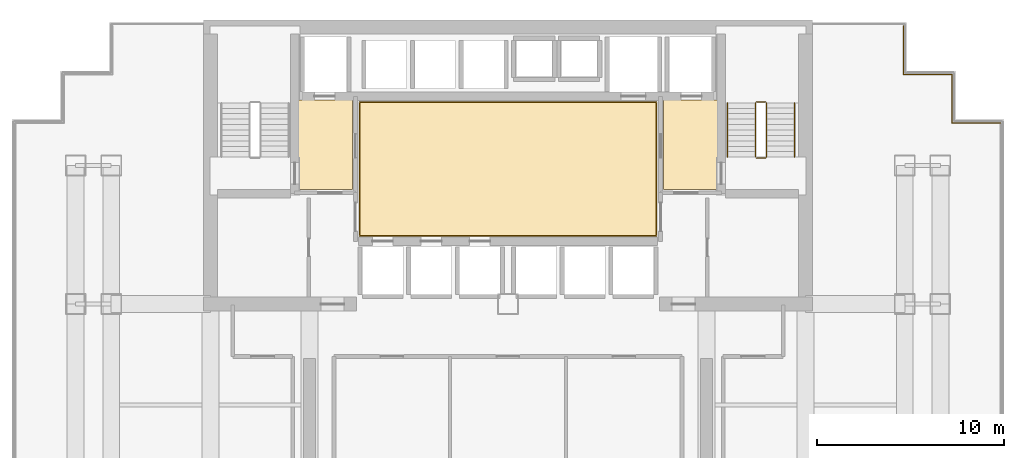
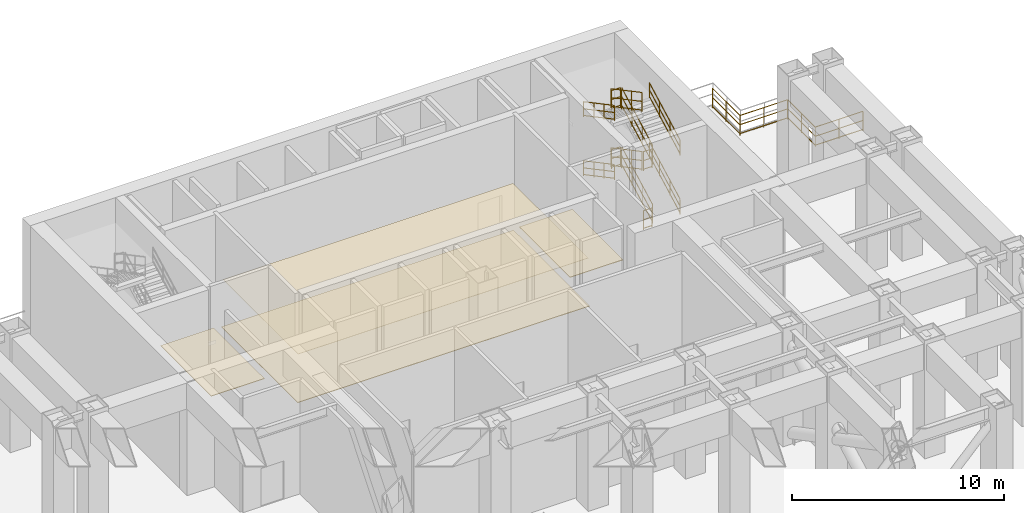
# One storey, part 7 of 7: 16 railings, 4 coverings.
"""IFC4 building model written with IfcOpenShell, lengths in metres."""

from ifc_helpers import new_model, si_unit, direction, frame, origin, origin_2d, place, context, subcontext, project, spatial, polyline, circle, outline, extrude, material, layer, layer_set, type_object, element, save


model = new_model("IFC4")

# Units and contexts
model_context = context("Model", 3, precision=1e-05, world=origin(), true_north=direction((0.0, 1.0)))
body_context = subcontext(model_context, "Body", "Model", "MODEL_VIEW")
ifc_project = project(units=[si_unit("LENGTHUNIT", "METRE"), si_unit("AREAUNIT", "SQUARE_METRE"), si_unit("VOLUMEUNIT", "CUBIC_METRE"), si_unit("PLANEANGLEUNIT", "RADIAN"), si_unit("MASSUNIT", "GRAM", prefix="KILO")], contexts=[model_context])

# Site, building, storey
site_placement = place(None, origin())
site = spatial("IfcSite", under=ifc_project, at=site_placement, CompositionType="ELEMENT")
building_placement = place(site_placement, origin())
building = spatial("IfcBuilding", under=site, at=building_placement, Name="Qianlan Lanfeng Residences", CompositionType="ELEMENT")
storey_placement = place(building_placement, frame((0.0, 0.0, 70.39990234375)))
storey = spatial("IfcBuildingStorey", under=building, at=storey_placement, Name="L19", CompositionType="ELEMENT", Elevation=70.39990234375)

# Coverings
ifc_material_1 = material(Name="Acoustic Perforated Gypsum Ceiling Board")
ifc_layer_1 = layer(ifc_material_1, 0.02001953125)
ifc_layer_set_1 = layer_set([ifc_layer_1], Name="Acoustic Perforated Gypsum Ceiling Board")
covering_type_1 = type_object("IfcCoveringType", Name="CLG-GYP-15", PredefinedType="CEILING", material=ifc_layer_set_1)
covering_1_placement = place(storey_placement, frame((0.0, 0.0, 2.75)))
element("IfcCovering", 1, at=covering_1_placement, inside=storey, type_object=covering_type_1, Name="L19 Lift Lobby Suspended Ceiling", PredefinedType="CEILING", context=body_context, shape_type="SweptSolid", body=[
    extrude(outline(polyline([(18.60009765625, 28.8701171875), (34.39990234375, 28.8701171875), (34.39990234375, 35.9599609375), (18.60009765625, 35.9599609375), (18.60009765625, 28.8701171875)])), origin(), (0.0, 0.0, 1.0), 0.02001953125),
])
ifc_material_2 = material(Name="Honed Taitung Granite Stone Flooring", Category="masonry")
ifc_layer_2 = layer(ifc_material_2, 0.030029296875)
ifc_layer_set_2 = layer_set([ifc_layer_2], Name="Honed Taitung Granite Stone Flooring")
covering_type_2 = type_object("IfcCoveringType", Name="FLR-STN-30", PredefinedType="FLOORING", material=ifc_layer_set_2)
covering_2_placement = place(storey_placement, origin())
element("IfcCovering", 2, at=covering_2_placement, inside=storey, type_object=covering_type_2, Name="L19 Firefighting Lift Lobby Floor Finish", PredefinedType="FLOORING", context=body_context, shape_type="SweptSolid", body=[
    extrude(outline(polyline([(15.2900390625, 31.320068359375), (18.179931640625, 31.320068359375), (18.179931640625, 36.110107421875), (15.2900390625, 36.110107421875), (15.2900390625, 31.320068359375)])), origin(), (0.0, 0.0, 1.0), 0.030029296875),
])
covering_3_placement = place(storey_placement, origin())
element("IfcCovering", 3, at=covering_3_placement, inside=storey, type_object=covering_type_2, Name="L19 Firefighting Lift Lobby Floor Finish", PredefinedType="FLOORING", context=body_context, shape_type="SweptSolid", body=[
    extrude(outline(polyline([(34.820068359375, 31.320068359375), (37.7099609375, 31.320068359375), (37.7099609375, 36.110107421875), (34.820068359375, 36.110107421875), (34.820068359375, 31.320068359375)])), origin(), (0.0, 0.0, 1.0), 0.030029296875),
])
covering_4_placement = place(storey_placement, origin())
element("IfcCovering", 4, at=covering_4_placement, inside=storey, type_object=covering_type_2, Name="L19 Lift Lobby Floor Finish", PredefinedType="FLOORING", context=body_context, shape_type="SweptSolid", body=[
    extrude(outline(polyline([(18.550048828125, 28.820068359375), (34.449951171875, 28.820068359375), (34.449951171875, 36.010009765625), (18.550048828125, 36.010009765625), (18.550048828125, 28.820068359375)])), origin(), (0.0, 0.0, 1.0), 0.030029296875),
])

# Railings
ifc_material_3 = material(Name="Painted Galvanised Steel Guardrail", Category="steel")
railing_type_1 = type_object("IfcRailingType", Name="GR-ST-1120", PredefinedType="GUARDRAIL", material=ifc_material_3)
railing_1_placement = place(storey_placement, frame((40.31005859375, 33.050048828125, 0.154541015625)))
element("IfcRailing", 5, at=railing_1_placement, inside=storey, type_object=railing_type_1, Name="L19 ST-2 stair guard 1", PredefinedType="GUARDRAIL", context=body_context, shape_type="SweptSolid", body=[
    extrude(circle(Radius=0.02392578125, at=origin_2d()), frame((0.0, 0.0, 0.083984375), z_axis=(0.0, 0.882474251534, 0.470360707734), x_axis=(-1.0, 0.0, 0.0)), (0.0, 0.0, 1.0), 3.2861328125),
    extrude(circle(Radius=0.02392578125, at=origin_2d()), frame((0.0, 0.0, 0.58251953125), z_axis=(0.0, 0.882474251534, 0.470360707734), x_axis=(-1.0, 0.0, 0.0)), (0.0, 0.0, 1.0), 3.2861328125),
    extrude(circle(Radius=0.02392578125, at=origin_2d()), frame((0.0, 0.0, 1.09619140625), z_axis=(0.0, 0.882474251534, 0.470360707734), x_axis=(-1.0, 0.0, 0.0)), (0.0, 0.0, 1.0), 3.2861328125),
    extrude(circle(Radius=0.02099609375, at=origin_2d()), origin(), (0.0, 0.0, 1.0), 1.072021484375),
    extrude(circle(Radius=0.02099609375, at=origin_2d()), frame((0.0, 0.966552734375, 0.51513671875)), (0.0, 0.0, 1.0), 1.072021484375),
    extrude(circle(Radius=0.02099609375, at=origin_2d()), frame((0.0, 1.933349609375, 1.030517578125)), (0.0, 0.0, 1.0), 1.072021484375),
    extrude(circle(Radius=0.02099609375, at=origin_2d()), frame((0.0, 2.89990234375, 1.545654296875)), (0.0, 0.0, 1.0), 1.072021484375),
])
railing_2_placement = place(storey_placement, frame((40.260009765625, 36.0, 1.7001953125)))
element("IfcRailing", 6, at=railing_2_placement, inside=storey, type_object=railing_type_1, Name="L19 ST-2 stair guard 2", PredefinedType="GUARDRAIL", context=body_context, shape_type="SweptSolid", body=[
    extrude(circle(Radius=0.02392578125, at=origin_2d()), frame((0.0, 0.0, 0.083984375), z_axis=(-1.0, 0.0, 0.0), x_axis=(0.0, -1.0, 0.0)), (0.0, 0.0, 1.0), 0.47998046875),
    extrude(circle(Radius=0.02392578125, at=origin_2d()), frame((0.0, 0.0, 0.58251953125), z_axis=(-1.0, 0.0, 0.0), x_axis=(0.0, -1.0, 0.0)), (0.0, 0.0, 1.0), 0.47998046875),
    extrude(circle(Radius=0.02392578125, at=origin_2d()), frame((0.0, 0.0, 1.09619140625), z_axis=(-1.0, 0.0, 0.0), x_axis=(0.0, -1.0, 0.0)), (0.0, 0.0, 1.0), 0.47998046875),
    extrude(circle(Radius=0.02099609375, at=origin_2d()), origin(), (0.0, 0.0, 1.0), 1.072021484375),
    extrude(circle(Radius=0.02099609375, at=origin_2d()), frame((-0.47998046875, 0.0, 0.0)), (0.0, 0.0, 1.0), 1.072021484375),
])
railing_3_placement = place(storey_placement, frame((39.72998046875, 35.949951171875, 1.854736328125)))
element("IfcRailing", 7, at=railing_3_placement, inside=storey, type_object=railing_type_1, Name="L19 ST-2 stair guard 3", PredefinedType="GUARDRAIL", context=body_context, shape_type="SweptSolid", body=[
    extrude(circle(Radius=0.02392578125, at=origin_2d()), frame((0.0, 0.0, 0.083984375), z_axis=(0.0, -0.882505089112, 0.470302846782), x_axis=(1.0, 0.0, 0.0)), (0.0, 0.0, 1.0), 3.285888671875),
    extrude(circle(Radius=0.02392578125, at=origin_2d()), frame((0.0, 0.0, 0.58251953125), z_axis=(0.0, -0.882505089112, 0.470302846782), x_axis=(1.0, 0.0, 0.0)), (0.0, 0.0, 1.0), 3.285888671875),
    extrude(circle(Radius=0.02392578125, at=origin_2d()), frame((0.0, 0.0, 1.09619140625), z_axis=(0.0, -0.882505089112, 0.470302846782), x_axis=(1.0, 0.0, 0.0)), (0.0, 0.0, 1.0), 3.285888671875),
    extrude(circle(Radius=0.02099609375, at=origin_2d()), origin(), (0.0, 0.0, 1.0), 1.072021484375),
    extrude(circle(Radius=0.02099609375, at=origin_2d()), frame((0.0, -0.966552734375, 0.51513671875)), (0.0, 0.0, 1.0), 1.072021484375),
    extrude(circle(Radius=0.02099609375, at=origin_2d()), frame((0.0, -1.933349609375, 1.0302734375)), (0.0, 0.0, 1.0), 1.072021484375),
    extrude(circle(Radius=0.02099609375, at=origin_2d()), frame((0.0, -2.89990234375, 1.54541015625)), (0.0, 0.0, 1.0), 1.072021484375),
])
railing_4_placement = place(storey_placement, frame((40.260009765625, 33.0, 3.400146484375)))
element("IfcRailing", 8, at=railing_4_placement, inside=storey, type_object=railing_type_1, Name="L19 ST-2 stair guard 4", PredefinedType="GUARDRAIL", context=body_context, shape_type="SweptSolid", body=[
    extrude(circle(Radius=0.02392578125, at=origin_2d()), frame((0.0, 0.0, 0.083984375), z_axis=(-1.0, 0.0, 0.0), x_axis=(0.0, -1.0, 0.0)), (0.0, 0.0, 1.0), 0.47998046875),
    extrude(circle(Radius=0.02392578125, at=origin_2d()), frame((0.0, 0.0, 0.58251953125), z_axis=(-1.0, 0.0, 0.0), x_axis=(0.0, -1.0, 0.0)), (0.0, 0.0, 1.0), 0.47998046875),
    extrude(circle(Radius=0.02392578125, at=origin_2d()), frame((0.0, 0.0, 1.09619140625), z_axis=(-1.0, 0.0, 0.0), x_axis=(0.0, -1.0, 0.0)), (0.0, 0.0, 1.0), 0.47998046875),
    extrude(circle(Radius=0.02099609375, at=origin_2d()), origin(), (0.0, 0.0, 1.0), 1.072021484375),
    extrude(circle(Radius=0.02099609375, at=origin_2d()), frame((-0.47998046875, 0.0, 0.0)), (0.0, 0.0, 1.0), 1.072021484375),
])
railing_5_placement = place(storey_placement, frame((40.31005859375, 33.050048828125, 3.5546875)))
element("IfcRailing", 9, at=railing_5_placement, inside=storey, type_object=railing_type_1, Name="L19 ST-2 stair guard 5", PredefinedType="GUARDRAIL", context=body_context, shape_type="SweptSolid", body=[
    extrude(circle(Radius=0.02392578125, at=origin_2d()), frame((0.0, 0.0, 0.083984375), z_axis=(0.0, 0.882505089112, 0.470302846782), x_axis=(-1.0, 0.0, 0.0)), (0.0, 0.0, 1.0), 3.285888671875),
    extrude(circle(Radius=0.02392578125, at=origin_2d()), frame((0.0, 0.0, 0.58251953125), z_axis=(0.0, 0.882505089112, 0.470302846782), x_axis=(-1.0, 0.0, 0.0)), (0.0, 0.0, 1.0), 3.285888671875),
    extrude(circle(Radius=0.02392578125, at=origin_2d()), frame((0.0, 0.0, 1.09619140625), z_axis=(0.0, 0.882505089112, 0.470302846782), x_axis=(-1.0, 0.0, 0.0)), (0.0, 0.0, 1.0), 3.285888671875),
    extrude(circle(Radius=0.02099609375, at=origin_2d()), origin(), (0.0, 0.0, 1.0), 1.072021484375),
    extrude(circle(Radius=0.02099609375, at=origin_2d()), frame((0.0, 0.966552734375, 0.51513671875)), (0.0, 0.0, 1.0), 1.072021484375),
    extrude(circle(Radius=0.02099609375, at=origin_2d()), frame((0.0, 1.933349609375, 1.0302734375)), (0.0, 0.0, 1.0), 1.072021484375),
    extrude(circle(Radius=0.02099609375, at=origin_2d()), frame((0.0, 2.89990234375, 1.54541015625)), (0.0, 0.0, 1.0), 1.072021484375),
])
railing_6_placement = place(storey_placement, frame((40.260009765625, 36.0, 5.10009765625)))
element("IfcRailing", 10, at=railing_6_placement, inside=storey, type_object=railing_type_1, Name="L19 ST-2 stair guard 6", PredefinedType="GUARDRAIL", context=body_context, shape_type="SweptSolid", body=[
    extrude(circle(Radius=0.02392578125, at=origin_2d()), frame((0.0, 0.0, 0.083984375), z_axis=(-1.0, 0.0, 0.0), x_axis=(0.0, -1.0, 0.0)), (0.0, 0.0, 1.0), 0.47998046875),
    extrude(circle(Radius=0.02392578125, at=origin_2d()), frame((0.0, 0.0, 0.58251953125), z_axis=(-1.0, 0.0, 0.0), x_axis=(0.0, -1.0, 0.0)), (0.0, 0.0, 1.0), 0.47998046875),
    extrude(circle(Radius=0.02392578125, at=origin_2d()), frame((0.0, 0.0, 1.09619140625), z_axis=(-1.0, 0.0, 0.0), x_axis=(0.0, -1.0, 0.0)), (0.0, 0.0, 1.0), 0.47998046875),
    extrude(circle(Radius=0.02099609375, at=origin_2d()), origin(), (0.0, 0.0, 1.0), 1.072021484375),
    extrude(circle(Radius=0.02099609375, at=origin_2d()), frame((-0.47998046875, 0.0, 0.0)), (0.0, 0.0, 1.0), 1.072021484375),
])
railing_7_placement = place(storey_placement, frame((39.72998046875, 35.949951171875, 5.254638671875)))
element("IfcRailing", 11, at=railing_7_placement, inside=storey, type_object=railing_type_1, Name="L19 ST-2 stair guard 7", PredefinedType="GUARDRAIL", context=body_context, shape_type="SweptSolid", body=[
    extrude(circle(Radius=0.02392578125, at=origin_2d()), frame((0.0, 0.0, 0.083984375), z_axis=(0.0, -0.882505089112, 0.470302846782), x_axis=(1.0, 0.0, 0.0)), (0.0, 0.0, 1.0), 3.285888671875),
    extrude(circle(Radius=0.02392578125, at=origin_2d()), frame((0.0, 0.0, 0.58251953125), z_axis=(0.0, -0.882505089112, 0.470302846782), x_axis=(1.0, 0.0, 0.0)), (0.0, 0.0, 1.0), 3.285888671875),
    extrude(circle(Radius=0.02392578125, at=origin_2d()), frame((0.0, 0.0, 1.09619140625), z_axis=(0.0, -0.882505089112, 0.470302846782), x_axis=(1.0, 0.0, 0.0)), (0.0, 0.0, 1.0), 3.285888671875),
    extrude(circle(Radius=0.02099609375, at=origin_2d()), origin(), (0.0, 0.0, 1.0), 1.072021484375),
    extrude(circle(Radius=0.02099609375, at=origin_2d()), frame((0.0, -0.966552734375, 0.51513671875)), (0.0, 0.0, 1.0), 1.072021484375),
    extrude(circle(Radius=0.02099609375, at=origin_2d()), frame((0.0, -1.933349609375, 1.0302734375)), (0.0, 0.0, 1.0), 1.072021484375),
    extrude(circle(Radius=0.02099609375, at=origin_2d()), frame((0.0, -2.89990234375, 1.54541015625)), (0.0, 0.0, 1.0), 1.072021484375),
])
railing_8_placement = place(storey_placement, frame((40.260009765625, 33.0, 0.0)))
element("IfcRailing", 12, at=railing_8_placement, inside=storey, type_object=railing_type_1, Name="L19 ST-2 stair guard 8", PredefinedType="GUARDRAIL", context=body_context, shape_type="SweptSolid", body=[
    extrude(circle(Radius=0.02392578125, at=origin_2d()), frame((0.0, 0.0, 0.083984375), z_axis=(-1.0, 0.0, 0.0), x_axis=(0.0, -1.0, 0.0)), (0.0, 0.0, 1.0), 0.47998046875),
    extrude(circle(Radius=0.02392578125, at=origin_2d()), frame((0.0, 0.0, 0.58251953125), z_axis=(-1.0, 0.0, 0.0), x_axis=(0.0, -1.0, 0.0)), (0.0, 0.0, 1.0), 0.47998046875),
    extrude(circle(Radius=0.02392578125, at=origin_2d()), frame((0.0, 0.0, 1.09619140625), z_axis=(-1.0, 0.0, 0.0), x_axis=(0.0, -1.0, 0.0)), (0.0, 0.0, 1.0), 0.47998046875),
    extrude(circle(Radius=0.02099609375, at=origin_2d()), origin(), (0.0, 0.0, 1.0), 1.072021484375),
    extrude(circle(Radius=0.02099609375, at=origin_2d()), frame((-0.47998046875, 0.0, 0.0)), (0.0, 0.0, 1.0), 1.072021484375),
])
railing_9_placement = place(storey_placement, frame((47.6201171875, 40.070068359375, 0.0)))
element("IfcRailing", 13, at=railing_9_placement, inside=storey, type_object=railing_type_1, Name="L19 Wind-Slot Open Perimeter Guardrail 6", PredefinedType="GUARDRAIL", context=body_context, shape_type="SweptSolid", body=[
    extrude(circle(Radius=0.02392578125, at=origin_2d()), frame((0.0, 0.0, 0.083984375), z_axis=(0.0, -1.0, 0.0), x_axis=(1.0, 0.0, 0.0)), (0.0, 0.0, 1.0), 2.60009765625),
    extrude(circle(Radius=0.02392578125, at=origin_2d()), frame((0.0, 0.0, 0.597900390625), z_axis=(0.0, -1.0, 0.0), x_axis=(1.0, 0.0, 0.0)), (0.0, 0.0, 1.0), 2.60009765625),
    extrude(circle(Radius=0.02392578125, at=origin_2d()), frame((0.0, 0.0, 1.1259765625), z_axis=(0.0, -1.0, 0.0), x_axis=(1.0, 0.0, 0.0)), (0.0, 0.0, 1.0), 2.60009765625),
    extrude(circle(Radius=0.02099609375, at=origin_2d()), origin(), (0.0, 0.0, 1.0), 1.101806640625),
    extrude(circle(Radius=0.02099609375, at=origin_2d()), frame((0.0, -1.300048828125, 0.0)), (0.0, 0.0, 1.0), 1.101806640625),
    extrude(circle(Radius=0.02099609375, at=origin_2d()), frame((0.0, -2.60009765625, 0.0)), (0.0, 0.0, 1.0), 1.101806640625),
])
railing_10_placement = place(storey_placement, frame((47.6201171875, 37.469970703125, 0.0)))
element("IfcRailing", 14, at=railing_10_placement, inside=storey, type_object=railing_type_1, Name="L19 Wind-Slot Open Perimeter Guardrail 7", PredefinedType="GUARDRAIL", context=body_context, shape_type="SweptSolid", body=[
    extrude(circle(Radius=0.02392578125, at=origin_2d()), frame((0.0, 0.0, 0.083984375), z_axis=(1.0, 0.0, 0.0), x_axis=(0.0, 1.0, 0.0)), (0.0, 0.0, 1.0), 2.599853515625),
    extrude(circle(Radius=0.02392578125, at=origin_2d()), frame((0.0, 0.0, 0.597900390625), z_axis=(1.0, 0.0, 0.0), x_axis=(0.0, 1.0, 0.0)), (0.0, 0.0, 1.0), 2.599853515625),
    extrude(circle(Radius=0.02392578125, at=origin_2d()), frame((0.0, 0.0, 1.1259765625), z_axis=(1.0, 0.0, 0.0), x_axis=(0.0, 1.0, 0.0)), (0.0, 0.0, 1.0), 2.599853515625),
    extrude(circle(Radius=0.02099609375, at=origin_2d()), origin(), (0.0, 0.0, 1.0), 1.101806640625),
    extrude(circle(Radius=0.02099609375, at=origin_2d()), frame((1.2998046875, 0.0, 0.0)), (0.0, 0.0, 1.0), 1.101806640625),
    extrude(circle(Radius=0.02099609375, at=origin_2d()), frame((2.599853515625, 0.0, 0.0)), (0.0, 0.0, 1.0), 1.101806640625),
])
railing_11_placement = place(storey_placement, frame((50.219970703125, 37.469970703125, 0.0)))
element("IfcRailing", 15, at=railing_11_placement, inside=storey, type_object=railing_type_1, Name="L19 Wind-Slot Open Perimeter Guardrail 8", PredefinedType="GUARDRAIL", context=body_context, shape_type="SweptSolid", body=[
    extrude(circle(Radius=0.02392578125, at=origin_2d()), frame((0.0, 0.0, 0.083984375), z_axis=(0.0, -1.0, 0.0), x_axis=(1.0, 0.0, 0.0)), (0.0, 0.0, 1.0), 2.599853515625),
    extrude(circle(Radius=0.02392578125, at=origin_2d()), frame((0.0, 0.0, 0.597900390625), z_axis=(0.0, -1.0, 0.0), x_axis=(1.0, 0.0, 0.0)), (0.0, 0.0, 1.0), 2.599853515625),
    extrude(circle(Radius=0.02392578125, at=origin_2d()), frame((0.0, 0.0, 1.1259765625), z_axis=(0.0, -1.0, 0.0), x_axis=(1.0, 0.0, 0.0)), (0.0, 0.0, 1.0), 2.599853515625),
    extrude(circle(Radius=0.02099609375, at=origin_2d()), origin(), (0.0, 0.0, 1.0), 1.101806640625),
    extrude(circle(Radius=0.02099609375, at=origin_2d()), frame((0.0, -1.2998046875, 0.0)), (0.0, 0.0, 1.0), 1.101806640625),
    extrude(circle(Radius=0.02099609375, at=origin_2d()), frame((0.0, -2.599853515625, 0.0)), (0.0, 0.0, 1.0), 1.101806640625),
])
railing_12_placement = place(storey_placement, frame((50.219970703125, 34.8701171875, 0.0)))
element("IfcRailing", 16, at=railing_12_placement, inside=storey, type_object=railing_type_1, Name="L19 Wind-Slot Open Perimeter Guardrail 9", PredefinedType="GUARDRAIL", context=body_context, shape_type="SweptSolid", body=[
    extrude(circle(Radius=0.02392578125, at=origin_2d()), frame((0.0, 0.0, 0.083984375), z_axis=(1.0, 0.0, 0.0), x_axis=(0.0, 1.0, 0.0)), (0.0, 0.0, 1.0), 2.60009765625),
    extrude(circle(Radius=0.02392578125, at=origin_2d()), frame((0.0, 0.0, 0.597900390625), z_axis=(1.0, 0.0, 0.0), x_axis=(0.0, 1.0, 0.0)), (0.0, 0.0, 1.0), 2.60009765625),
    extrude(circle(Radius=0.02392578125, at=origin_2d()), frame((0.0, 0.0, 1.1259765625), z_axis=(1.0, 0.0, 0.0), x_axis=(0.0, 1.0, 0.0)), (0.0, 0.0, 1.0), 2.60009765625),
    extrude(circle(Radius=0.02099609375, at=origin_2d()), origin(), (0.0, 0.0, 1.0), 1.101806640625),
    extrude(circle(Radius=0.02099609375, at=origin_2d()), frame((1.300048828125, 0.0, 0.0)), (0.0, 0.0, 1.0), 1.101806640625),
    extrude(circle(Radius=0.02099609375, at=origin_2d()), frame((2.60009765625, 0.0, 0.0)), (0.0, 0.0, 1.0), 1.101806640625),
])
ifc_material_4 = material(Name="Brushed Stainless Steel Handrail", Category="steel")
railing_type_2 = type_object("IfcRailingType", Name="HR-ST-920", PredefinedType="HANDRAIL", material=ifc_material_4)
railing_13_placement = place(storey_placement, frame((41.81005859375, 33.050048828125, 0.154541015625)))
element("IfcRailing", 17, at=railing_13_placement, inside=storey, type_object=railing_type_2, Name="L19 ST-2 stair handrail 1", PredefinedType="HANDRAIL", context=body_context, shape_type="SweptSolid", body=[
    extrude(circle(Radius=0.02392578125, at=origin_2d()), frame((0.0, 0.0, 0.083984375), z_axis=(0.0, 0.882474251534, 0.470360707734), x_axis=(-1.0, 0.0, 0.0)), (0.0, 0.0, 1.0), 3.2861328125),
    extrude(circle(Radius=0.02392578125, at=origin_2d()), frame((0.0, 0.0, 0.468017578125), z_axis=(0.0, 0.882474251534, 0.470360707734), x_axis=(-1.0, 0.0, 0.0)), (0.0, 0.0, 1.0), 3.2861328125),
    extrude(circle(Radius=0.02392578125, at=origin_2d()), frame((0.0, 0.0, 0.8759765625), z_axis=(0.0, 0.882474251534, 0.470360707734), x_axis=(-1.0, 0.0, 0.0)), (0.0, 0.0, 1.0), 3.2861328125),
    extrude(circle(Radius=0.02099609375, at=origin_2d()), origin(), (0.0, 0.0, 1.0), 0.851806640625),
    extrude(circle(Radius=0.02099609375, at=origin_2d()), frame((0.0, 0.966552734375, 0.51513671875)), (0.0, 0.0, 1.0), 0.851806640625),
    extrude(circle(Radius=0.02099609375, at=origin_2d()), frame((0.0, 1.933349609375, 1.030517578125)), (0.0, 0.0, 1.0), 0.851806640625),
    extrude(circle(Radius=0.02099609375, at=origin_2d()), frame((0.0, 2.89990234375, 1.545654296875)), (0.0, 0.0, 1.0), 0.851806640625),
])
railing_14_placement = place(storey_placement, frame((38.22998046875, 35.949951171875, 1.854736328125)))
element("IfcRailing", 18, at=railing_14_placement, inside=storey, type_object=railing_type_2, Name="L19 ST-2 stair handrail 2", PredefinedType="HANDRAIL", context=body_context, shape_type="SweptSolid", body=[
    extrude(circle(Radius=0.02392578125, at=origin_2d()), frame((0.0, 0.0, 0.083984375), z_axis=(0.0, -0.882505089112, 0.470302846782), x_axis=(1.0, 0.0, 0.0)), (0.0, 0.0, 1.0), 3.285888671875),
    extrude(circle(Radius=0.02392578125, at=origin_2d()), frame((0.0, 0.0, 0.468017578125), z_axis=(0.0, -0.882505089112, 0.470302846782), x_axis=(1.0, 0.0, 0.0)), (0.0, 0.0, 1.0), 3.285888671875),
    extrude(circle(Radius=0.02392578125, at=origin_2d()), frame((0.0, 0.0, 0.8759765625), z_axis=(0.0, -0.882505089112, 0.470302846782), x_axis=(1.0, 0.0, 0.0)), (0.0, 0.0, 1.0), 3.285888671875),
    extrude(circle(Radius=0.02099609375, at=origin_2d()), origin(), (0.0, 0.0, 1.0), 0.851806640625),
    extrude(circle(Radius=0.02099609375, at=origin_2d()), frame((0.0, -0.966552734375, 0.51513671875)), (0.0, 0.0, 1.0), 0.851806640625),
    extrude(circle(Radius=0.02099609375, at=origin_2d()), frame((0.0, -1.933349609375, 1.0302734375)), (0.0, 0.0, 1.0), 0.851806640625),
    extrude(circle(Radius=0.02099609375, at=origin_2d()), frame((0.0, -2.89990234375, 1.54541015625)), (0.0, 0.0, 1.0), 0.851806640625),
])
railing_15_placement = place(storey_placement, frame((41.81005859375, 33.050048828125, 3.5546875)))
element("IfcRailing", 19, at=railing_15_placement, inside=storey, type_object=railing_type_2, Name="L19 ST-2 stair handrail 3", PredefinedType="HANDRAIL", context=body_context, shape_type="SweptSolid", body=[
    extrude(circle(Radius=0.02392578125, at=origin_2d()), frame((0.0, 0.0, 0.083984375), z_axis=(0.0, 0.882505089112, 0.470302846782), x_axis=(-1.0, 0.0, 0.0)), (0.0, 0.0, 1.0), 3.285888671875),
    extrude(circle(Radius=0.02392578125, at=origin_2d()), frame((0.0, 0.0, 0.468017578125), z_axis=(0.0, 0.882505089112, 0.470302846782), x_axis=(-1.0, 0.0, 0.0)), (0.0, 0.0, 1.0), 3.285888671875),
    extrude(circle(Radius=0.02392578125, at=origin_2d()), frame((0.0, 0.0, 0.8759765625), z_axis=(0.0, 0.882505089112, 0.470302846782), x_axis=(-1.0, 0.0, 0.0)), (0.0, 0.0, 1.0), 3.285888671875),
    extrude(circle(Radius=0.02099609375, at=origin_2d()), origin(), (0.0, 0.0, 1.0), 0.851806640625),
    extrude(circle(Radius=0.02099609375, at=origin_2d()), frame((0.0, 0.966552734375, 0.51513671875)), (0.0, 0.0, 1.0), 0.851806640625),
    extrude(circle(Radius=0.02099609375, at=origin_2d()), frame((0.0, 1.933349609375, 1.0302734375)), (0.0, 0.0, 1.0), 0.851806640625),
    extrude(circle(Radius=0.02099609375, at=origin_2d()), frame((0.0, 2.89990234375, 1.54541015625)), (0.0, 0.0, 1.0), 0.851806640625),
])
railing_16_placement = place(storey_placement, frame((38.22998046875, 35.949951171875, 5.254638671875)))
element("IfcRailing", 20, at=railing_16_placement, inside=storey, type_object=railing_type_2, Name="L19 ST-2 stair handrail 4", PredefinedType="HANDRAIL", context=body_context, shape_type="SweptSolid", body=[
    extrude(circle(Radius=0.02392578125, at=origin_2d()), frame((0.0, 0.0, 0.083984375), z_axis=(0.0, -0.882505089112, 0.470302846782), x_axis=(1.0, 0.0, 0.0)), (0.0, 0.0, 1.0), 3.285888671875),
    extrude(circle(Radius=0.02392578125, at=origin_2d()), frame((0.0, 0.0, 0.468017578125), z_axis=(0.0, -0.882505089112, 0.470302846782), x_axis=(1.0, 0.0, 0.0)), (0.0, 0.0, 1.0), 3.285888671875),
    extrude(circle(Radius=0.02392578125, at=origin_2d()), frame((0.0, 0.0, 0.8759765625), z_axis=(0.0, -0.882505089112, 0.470302846782), x_axis=(1.0, 0.0, 0.0)), (0.0, 0.0, 1.0), 3.285888671875),
    extrude(circle(Radius=0.02099609375, at=origin_2d()), origin(), (0.0, 0.0, 1.0), 0.851806640625),
    extrude(circle(Radius=0.02099609375, at=origin_2d()), frame((0.0, -0.966552734375, 0.51513671875)), (0.0, 0.0, 1.0), 0.851806640625),
    extrude(circle(Radius=0.02099609375, at=origin_2d()), frame((0.0, -1.933349609375, 1.0302734375)), (0.0, 0.0, 1.0), 0.851806640625),
    extrude(circle(Radius=0.02099609375, at=origin_2d()), frame((0.0, -2.89990234375, 1.54541015625)), (0.0, 0.0, 1.0), 0.851806640625),
])

save(model, "model.ifc")
